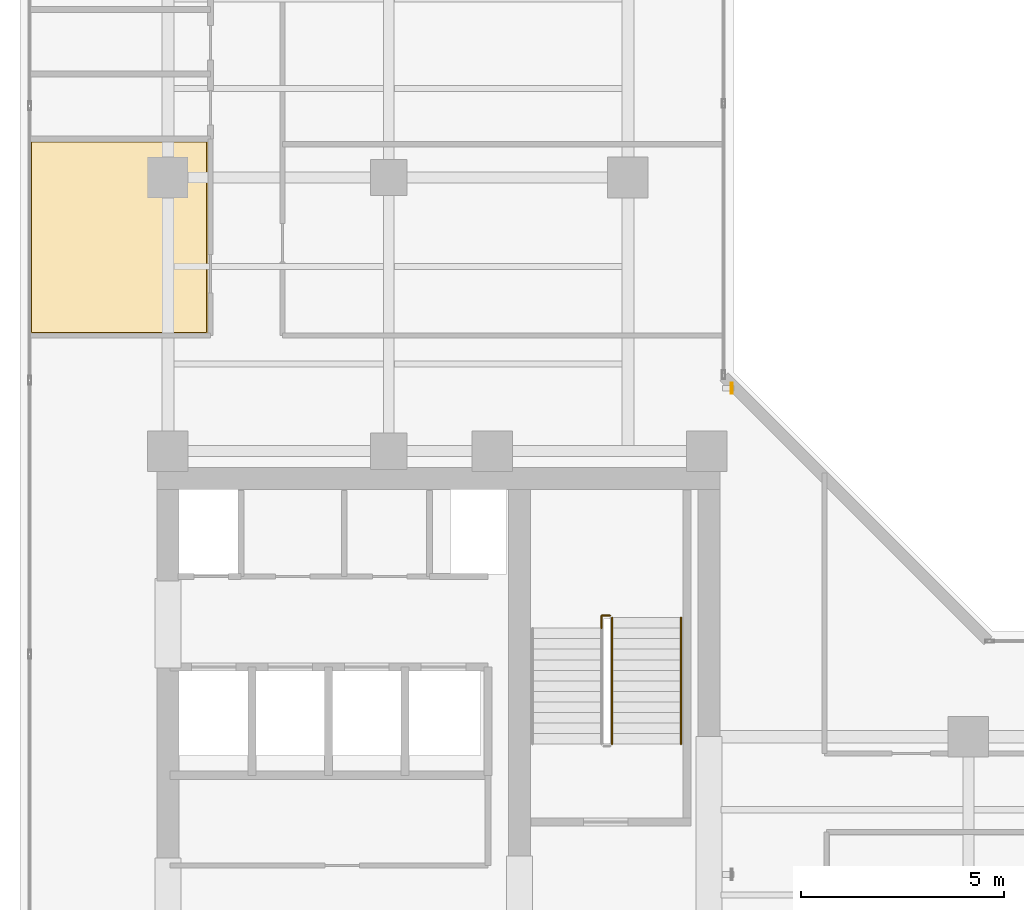
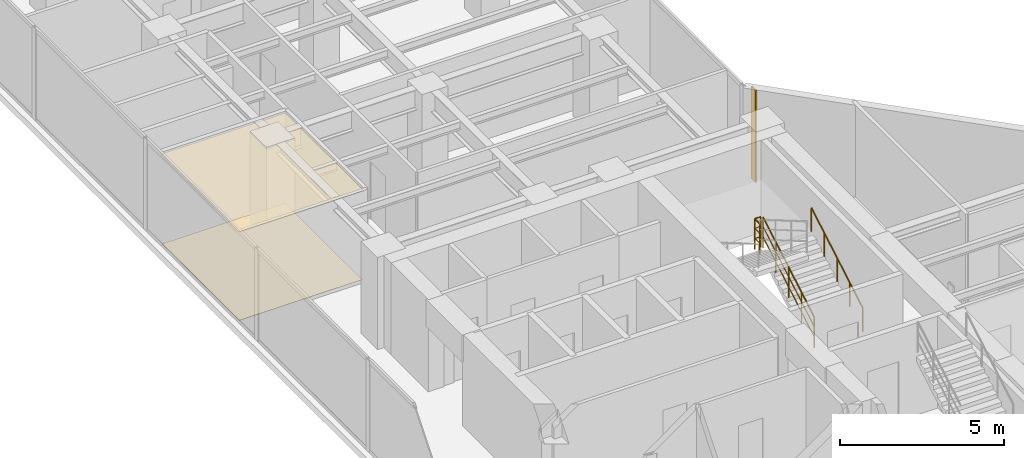
# One storey, part 22 of 24: 3 railings, 2 coverings, 1 shading device.
"""IFC4 building model written with IfcOpenShell, lengths in metres."""

from ifc_helpers import new_model, si_unit, direction, frame, origin, origin_2d, place, context, subcontext, project, spatial, polyline, hollow_rectangle, circle, outline, extrude, material, layer, layer_set, material_profile, profile_set, type_object, element, save


model = new_model("IFC4")

# Units and contexts
model_context = context("Model", 3, precision=1e-05, world=origin(), true_north=direction((0.0, 1.0)))
body_context = subcontext(model_context, "Body", "Model", "MODEL_VIEW")
ifc_project = project(units=[si_unit("LENGTHUNIT", "METRE"), si_unit("AREAUNIT", "SQUARE_METRE"), si_unit("VOLUMEUNIT", "CUBIC_METRE"), si_unit("PLANEANGLEUNIT", "RADIAN"), si_unit("MASSUNIT", "GRAM", prefix="KILO")], contexts=[model_context])

# Site, building, storey
site_placement = place(None, origin())
site = spatial("IfcSite", under=ifc_project, at=site_placement, CompositionType="ELEMENT")
building_placement = place(site_placement, origin())
building = spatial("IfcBuilding", under=site, at=building_placement, Name="Kolvaren Waterfront Exchange", CompositionType="ELEMENT")
storey_placement = place(building_placement, frame((0.0, 0.0, 253.89990234375)))
storey = spatial("IfcBuildingStorey", under=building, at=storey_placement, Name="L65", CompositionType="ELEMENT", Elevation=253.89990234375)

# Covering
ifc_material_1 = material(Name="Mineral fibre acoustic ceiling tile")
ifc_layer_1 = layer(ifc_material_1, 0.02490234375, Name="Mineral fibre acoustic ceiling tile")
ifc_layer_set_1 = layer_set([ifc_layer_1], Name="Mineral fibre acoustic ceiling tile")
covering_type_1 = type_object("IfcCoveringType", Name="ARC-CEIL-ACOUSTIC-25", PredefinedType="CEILING", material=ifc_layer_set_1)
covering_1_placement = place(storey_placement, frame((0.0, 0.0, 3.30517578125)))
element("IfcCovering", 1, at=covering_1_placement, inside=storey, type_object=covering_type_1, Name="L65 acoustic suspended ceiling 1", PredefinedType="CEILING", context=body_context, shape_type="SweptSolid", body=[
    extrude(outline(polyline([(8.43505859375, 27.344970703125), (8.43505859375, 32.10498046875), (4.044921875, 32.10498046875), (4.044921875, 27.344970703125), (8.43505859375, 27.344970703125)])), origin(), (0.0, 0.0, 1.0), 0.02490234375),
])

# Shading device
ifc_material_2 = material(Name="Anodised bronze aluminium 6063-T6", Category="aluminium")
ifc_material_profile = material_profile(ifc_material_2, hollow_rectangle(XDim=0.054931640625, YDim=0.280029296875, WallThickness=0.00439453125, at=origin_2d()), Name="BRZ-FIN-280x55x4.5")
ifc_profile_set = profile_set([ifc_material_profile], Name="Anodised bronze aluminium 6063-T6")
shading_device_type = type_object("IfcShadingDeviceType", Name="ARC-FIN-280", PredefinedType="USERDEFINED", material=ifc_profile_set)
shading_device_placement = place(storey_placement, frame((21.360107421875, 26.0, 0.0), z_axis=(0.0, 0.0, 1.0), x_axis=(1.0, 0.0, 0.0)))
element("IfcShadingDevice", 2, at=shading_device_placement, inside=storey, type_object=shading_device_type, Name="L65 anodised bronze solar shading fin FIN-L65-E2", ObjectType="SOLAR FIN", PredefinedType="USERDEFINED", context=body_context, shape_type="SweptSolid", body=[
    extrude(hollow_rectangle(XDim=0.054931640625, YDim=0.280029296875, WallThickness=0.00439453125, at=origin_2d()), origin(), (0.0, 0.0, 1.0), 3.420166015625),
])

# Covering
ifc_material_3 = material(Name="Slip-resistant porcelain tile")
ifc_layer_2 = layer(ifc_material_3, 0.014892578125, Name="Slip-resistant porcelain tile")
ifc_layer_set_2 = layer_set([ifc_layer_2], Name="Slip-resistant porcelain tile")
covering_type_2 = type_object("IfcCoveringType", Name="ARC-FLR-PORC-15", PredefinedType="FLOORING", material=ifc_layer_set_2)
covering_2_placement = place(storey_placement, origin())
element("IfcCovering", 3, at=covering_2_placement, inside=storey, type_object=covering_type_2, Name="L65 floor finish 1", PredefinedType="FLOORING", context=body_context, shape_type="SweptSolid", body=[
    extrude(outline(polyline([(4.080078125, 32.070068359375), (4.080078125, 27.3798828125), (8.39990234375, 27.3798828125), (8.39990234375, 32.070068359375), (4.080078125, 32.070068359375)])), origin(), (0.0, 0.0, 1.0), 0.01513671875),
])

# Railings
ifc_material_4 = material(Name="Stainless steel 316", Category="steel")
railing_type_1 = type_object("IfcRailingType", Name="ARC-GUARD-STAIR", PredefinedType="GUARDRAIL", material=ifc_material_4)
railing_1_placement = place(storey_placement, frame((18.409912109375, 17.219970703125, 0.152099609375)))
element("IfcRailing", 4, at=railing_1_placement, inside=storey, type_object=railing_type_1, Name="L65 ST2 stair guard 1", PredefinedType="GUARDRAIL", context=body_context, shape_type="SweptSolid", body=[
    extrude(circle(Radius=0.02392578125, at=origin_2d()), frame((0.0, 0.0, 1.1259765625), z_axis=(0.0, 0.86330811405, 0.504677223793), x_axis=(-1.0, 0.0, 0.0)), (0.0, 0.0, 1.0), 3.6142578125),
    extrude(circle(Radius=0.01611328125, at=origin_2d()), frame((0.0, 0.0, 0.390869140625), z_axis=(0.0, 0.86330811405, 0.504677223793), x_axis=(-1.0, 0.0, 0.0)), (0.0, 0.0, 1.0), 3.6142578125),
    extrude(circle(Radius=0.01611328125, at=origin_2d()), frame((0.0, 0.0, 0.7705078125), z_axis=(0.0, 0.86330811405, 0.504677223793), x_axis=(-1.0, 0.0, 0.0)), (0.0, 0.0, 1.0), 3.6142578125),
    extrude(circle(Radius=0.02099609375, at=origin_2d()), origin(), (0.0, 0.0, 1.0), 1.101806640625),
    extrude(circle(Radius=0.02099609375, at=origin_2d()), frame((0.0, 0.780029296875, 0.4560546875)), (0.0, 0.0, 1.0), 1.101806640625),
    extrude(circle(Radius=0.02099609375, at=origin_2d()), frame((0.0, 1.56005859375, 0.912109375)), (0.0, 0.0, 1.0), 1.101806640625),
    extrude(circle(Radius=0.02099609375, at=origin_2d()), frame((0.0, 2.340087890625, 1.367919921875)), (0.0, 0.0, 1.0), 1.101806640625),
    extrude(circle(Radius=0.02099609375, at=origin_2d()), frame((0.0, 3.1201171875, 1.823974609375)), (0.0, 0.0, 1.0), 1.101806640625),
])
railing_2_placement = place(storey_placement, frame((18.360107421875, 20.389892578125, 1.97607421875)))
element("IfcRailing", 5, at=railing_2_placement, inside=storey, type_object=railing_type_1, Name="L65 ST2 stair guard 2", PredefinedType="GUARDRAIL", context=body_context, shape_type="SweptSolid", body=[
    extrude(circle(Radius=0.02392578125, at=origin_2d()), frame((0.0, 0.0, 1.1259765625), z_axis=(-1.0, 0.0, 0.0), x_axis=(0.0, -1.0, 0.0)), (0.0, 0.0, 1.0), 0.210205078125),
    extrude(circle(Radius=0.01611328125, at=origin_2d()), frame((0.0, 0.0, 0.390869140625), z_axis=(-1.0, 0.0, 0.0), x_axis=(0.0, -1.0, 0.0)), (0.0, 0.0, 1.0), 0.210205078125),
    extrude(circle(Radius=0.01611328125, at=origin_2d()), frame((0.0, 0.0, 0.7705078125), z_axis=(-1.0, 0.0, 0.0), x_axis=(0.0, -1.0, 0.0)), (0.0, 0.0, 1.0), 0.210205078125),
    extrude(circle(Radius=0.02392578125, at=origin_2d()), frame((-0.210205078125, 0.0, 1.1259765625), z_axis=(0.0, -1.0, 0.0), x_axis=(1.0, 0.0, 0.0)), (0.0, 0.0, 1.0), 0.309814453125),
    extrude(circle(Radius=0.01611328125, at=origin_2d()), frame((-0.210205078125, 0.0, 0.390869140625), z_axis=(0.0, -1.0, 0.0), x_axis=(1.0, 0.0, 0.0)), (0.0, 0.0, 1.0), 0.309814453125),
    extrude(circle(Radius=0.01611328125, at=origin_2d()), frame((-0.210205078125, 0.0, 0.7705078125), z_axis=(0.0, -1.0, 0.0), x_axis=(1.0, 0.0, 0.0)), (0.0, 0.0, 1.0), 0.309814453125),
    extrude(circle(Radius=0.02099609375, at=origin_2d()), origin(), (0.0, 0.0, 1.0), 1.101806640625),
    extrude(circle(Radius=0.02099609375, at=origin_2d()), frame((-0.210205078125, 0.0, 0.0)), (0.0, 0.0, 1.0), 1.101806640625),
    extrude(circle(Radius=0.02099609375, at=origin_2d()), frame((-0.210205078125, -0.309814453125, 0.0)), (0.0, 0.0, 1.0), 1.101806640625),
])
railing_type_2 = type_object("IfcRailingType", Name="ARC-HANDRAIL-900", PredefinedType="HANDRAIL", material=ifc_material_4)
railing_3_placement = place(storey_placement, frame((20.110107421875, 17.219970703125, 0.152099609375)))
element("IfcRailing", 6, at=railing_3_placement, inside=storey, type_object=railing_type_2, Name="L65 ST2 stair handrail 1", PredefinedType="HANDRAIL", context=body_context, shape_type="SweptSolid", body=[
    extrude(circle(Radius=0.02392578125, at=origin_2d()), frame((0.0, 0.0, 0.8759765625), z_axis=(0.0, 0.86330811405, 0.504677223793), x_axis=(-1.0, 0.0, 0.0)), (0.0, 0.0, 1.0), 3.6142578125),
    extrude(circle(Radius=0.02099609375, at=origin_2d()), origin(), (0.0, 0.0, 1.0), 0.851806640625),
    extrude(circle(Radius=0.02099609375, at=origin_2d()), frame((0.0, 0.780029296875, 0.4560546875)), (0.0, 0.0, 1.0), 0.851806640625),
    extrude(circle(Radius=0.02099609375, at=origin_2d()), frame((0.0, 1.56005859375, 0.912109375)), (0.0, 0.0, 1.0), 0.851806640625),
    extrude(circle(Radius=0.02099609375, at=origin_2d()), frame((0.0, 2.340087890625, 1.367919921875)), (0.0, 0.0, 1.0), 0.851806640625),
    extrude(circle(Radius=0.02099609375, at=origin_2d()), frame((0.0, 3.1201171875, 1.823974609375)), (0.0, 0.0, 1.0), 0.851806640625),
])

save(model, "model.ifc")
